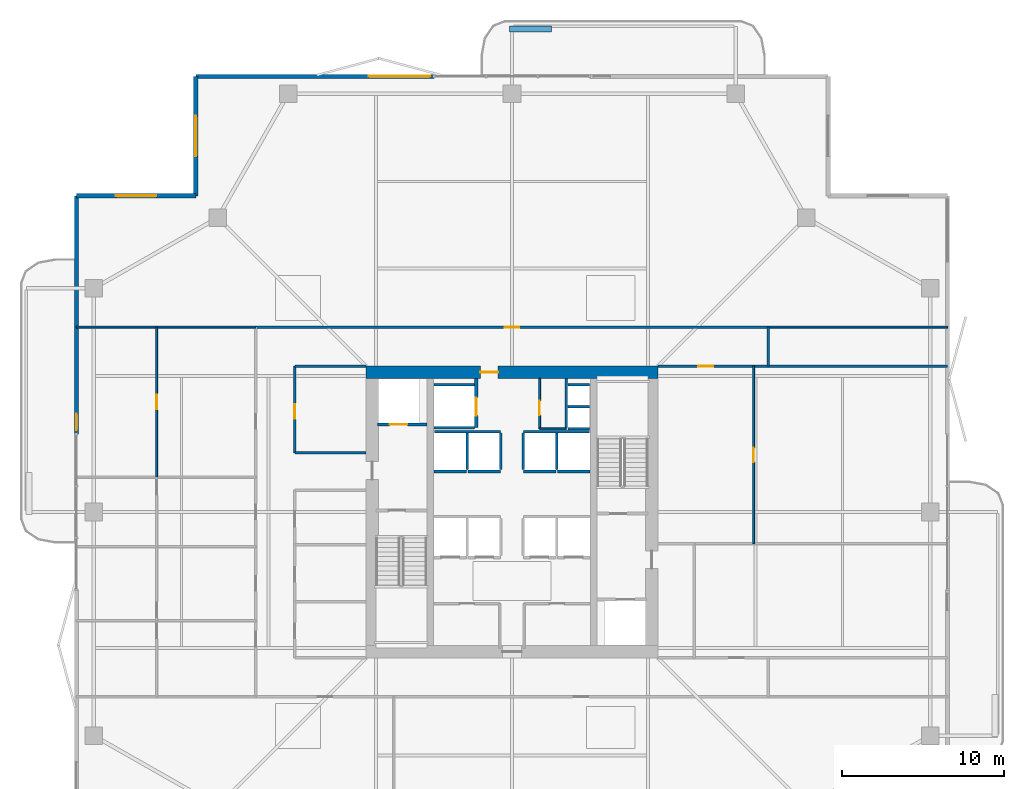
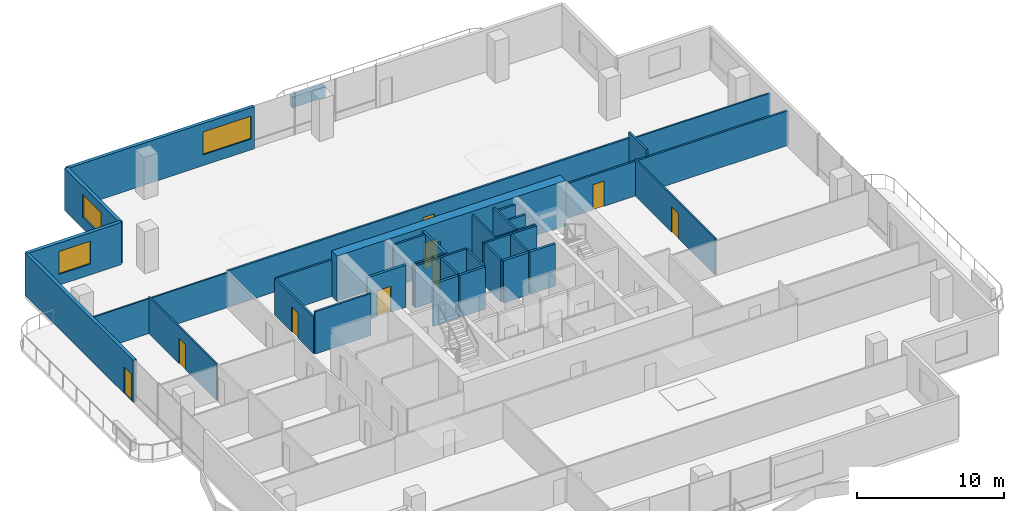
# One storey, part 19 of 23: 36 walls, 10 doors, 3 windows, 13 openings.
"""IFC4 building model written with IfcOpenShell, lengths in metres."""

import ifcopenshell
import ifcopenshell.guid

model = None  # the IFC model being written
_history = None  # IfcOwnerHistory: only IFC2X3 demands one
_inside = {}  # id of a spatial element -> (the spatial element, [elements in it])
_under = {}  # id of a project, library or spatial element -> (it, [spatial elements below it])
_declared = {}  # id of a project -> (the project, [libraries it declares])
_typed = {}  # id of a type object -> (the type object, [elements of that type])
_made_of = {}  # id of a material, layer set ... -> (it, [elements and type objects made of it])


def new_model(schema):
    """Start an empty IFC model of exactly this schema.

    Asked for "IFC4X3", IfcOpenShell would pick the latest addendum, in which some entities
    have other attributes; the version numbers below select the first issue.
    IFC2X3 requires an IfcOwnerHistory on every rooted entity: one is made here for all.
    """
    global model, _history
    if schema == "IFC4X3":
        model = ifcopenshell.file(schema_version=(4, 3, 0, 0))
    else:
        model = ifcopenshell.file(schema=schema)
    _inside.clear()
    _under.clear()
    _declared.clear()
    _typed.clear()
    _made_of.clear()
    _history = None
    if model.schema == "IFC2X3":
        org = make("IfcOrganization", Name="unknown")
        user = make(
            "IfcPersonAndOrganization",
            ThePerson=make("IfcPerson", FamilyName="unknown"),
            TheOrganization=org,
        )
        app = make(
            "IfcApplication",
            ApplicationDeveloper=org,
            Version="unknown",
            ApplicationFullName="unknown",
            ApplicationIdentifier="unknown",
        )
        _history = make(
            "IfcOwnerHistory",
            OwningUser=user,
            OwningApplication=app,
            ChangeAction="ADDED",
            CreationDate=0,
        )
    return model


def make(cls, **values):
    """One entity of the class cls with the attributes given. An attribute that is None is left unset."""
    return model.create_entity(
        cls, **{name: value for name, value in values.items() if value is not None}
    )


def rooted(cls, **values):
    """An entity with a GlobalId (a new one), such as an element, a storey or a relation."""
    return make(cls, GlobalId=ifcopenshell.guid.new(), OwnerHistory=_history, **values)


def si_unit(unit_type, name, prefix=None):
    """IfcSIUnit, for example si_unit("LENGTHUNIT", "METRE", prefix="MILLI")."""
    return make("IfcSIUnit", UnitType=unit_type, Prefix=prefix, Name=name)


def assignment(units):
    """IfcUnitAssignment: the units of a project."""
    return None if units is None else make("IfcUnitAssignment", Units=units)


def point(xyz):
    """IfcCartesianPoint."""
    return None if xyz is None else make("IfcCartesianPoint", Coordinates=xyz)


def direction(xyz):
    """IfcDirection."""
    return None if xyz is None else make("IfcDirection", DirectionRatios=xyz)


def frame(location, z_axis=None, x_axis=None):
    """IfcAxis2Placement3D, a coordinate frame: its origin and axes. An axis left out is left unset."""
    return make(
        "IfcAxis2Placement3D",
        Location=point(location),
        Axis=direction(z_axis),
        RefDirection=direction(x_axis),
    )


def frame_2d(location, x_axis=None):
    """IfcAxis2Placement2D, a coordinate frame in the plane: its origin and x axis."""
    return make(
        "IfcAxis2Placement2D", Location=point(location), RefDirection=direction(x_axis)
    )


def origin():
    """The frame at (0, 0, 0) with its axes left unset."""
    return frame((0.0, 0.0, 0.0))


def place(relative_to, where):
    """IfcLocalPlacement: puts the frame where relative to a parent placement (None: the world)."""
    return make(
        "IfcLocalPlacement", PlacementRelTo=relative_to, RelativePlacement=where
    )


def context(
    kind, dimensions, precision=None, world=None, true_north=None, identifier=None
):
    """IfcGeometricRepresentationContext, for example the 3D "Model" context."""
    return make(
        "IfcGeometricRepresentationContext",
        ContextIdentifier=identifier,
        ContextType=kind,
        CoordinateSpaceDimension=dimensions,
        Precision=precision,
        WorldCoordinateSystem=world,
        TrueNorth=true_north,
    )


def subcontext(parent, identifier, kind, view, scale=None):
    """IfcGeometricRepresentationSubContext, for example "Body" below "Model"."""
    return make(
        "IfcGeometricRepresentationSubContext",
        ContextIdentifier=identifier,
        ContextType=kind,
        ParentContext=parent,
        TargetScale=scale,
        TargetView=view,
    )


def project(units=None, contexts=None):
    """IfcProject with its units and contexts."""
    return rooted(
        "IfcProject",
        Name="project",
        RepresentationContexts=contexts,
        UnitsInContext=assignment(units),
    )


def spatial(cls, under=None, at=None, **own):
    """A site, building, storey or space (cls), placed at a placement, below another one or the project."""
    s = rooted(cls, ObjectPlacement=at, **own)
    if under is not None:
        _under.setdefault(under.id(), (under, []))[1].append(s)
    return s


def profile(cls, at=None, kind="AREA", **sizes):
    """A parametric profile (cls). Its sizes go by their IFC names, for example OverallWidth=200.0."""
    return make(cls, ProfileType=kind, Position=at, **sizes)


def rectangle(**sizes):
    """IfcRectangleProfileDef."""
    return profile("IfcRectangleProfileDef", **sizes)


def extrude(swept, where, along, depth):
    """IfcExtrudedAreaSolid: the profile swept, set in the frame where, extruded along a direction by depth."""
    return make(
        "IfcExtrudedAreaSolid",
        SweptArea=swept,
        Position=where,
        ExtrudedDirection=direction(along),
        Depth=depth,
    )


def shape(context_of_items, identifier, shape_type, items):
    """IfcShapeRepresentation: the items that make up one representation, for example the "Body"."""
    return make(
        "IfcShapeRepresentation",
        ContextOfItems=context_of_items,
        RepresentationIdentifier=identifier,
        RepresentationType=shape_type,
        Items=items,
    )


def material(Name=None, Category=None):
    """IfcMaterial."""
    return make("IfcMaterial", Name=Name, Category=Category)


def layer(
    of_material, thickness, ventilated=None, Name=None, Category=None, Priority=None
):
    """IfcMaterialLayer: one layer of a wall or slab, of a material (None: an air gap)."""
    return make(
        "IfcMaterialLayer",
        Material=of_material,
        LayerThickness=thickness,
        IsVentilated=ventilated,
        Name=Name,
        Category=Category,
        Priority=Priority,
    )


def layer_set(layers, Name=None):
    """IfcMaterialLayerSet."""
    return make("IfcMaterialLayerSet", MaterialLayers=layers, LayerSetName=Name)


def made_of(thing, what):
    """Note that an element or type object is made of a material, layer set ...; save() writes the relation."""
    if what is not None:
        _made_of.setdefault(what.id(), (what, []))[1].append(thing)
    return thing


def type_object(cls, material=None, **own):
    """A type object (cls), such as IfcWallType, which elements share."""
    return made_of(rooted(cls, **own), material)


def element(
    cls,
    number,
    at=None,
    inside=None,
    cuts=None,
    type_object=None,
    material=None,
    context=None,
    identifier="Body",
    shape_type=None,
    held_by="IfcProductDefinitionShape",
    body=None,
    shapes=None,
    **own,
):
    """One element of the class cls, such as IfcWall. Its Tag is "e" and its number.

    at: its placement. inside: the storey or other place that contains it. cuts: it is an
    opening in that element (IfcRelVoidsElement). A single representation is given by context,
    identifier, shape_type and body (its items); several are given by shapes. held_by: the class
    of the entity that holds the representations. save() writes the other relations.
    """
    e = rooted(cls, Tag="e%d" % number, ObjectPlacement=at, **own)
    if body is not None:
        shapes = [shape(context, identifier, shape_type, body)]
    if shapes is not None:
        e.Representation = make(held_by, Representations=shapes)
    if inside is not None:
        _inside.setdefault(inside.id(), (inside, []))[1].append(e)
    if cuts is not None:
        rooted(
            "IfcRelVoidsElement", RelatingBuildingElement=cuts, RelatedOpeningElement=e
        )
    if type_object is not None:
        _typed.setdefault(type_object.id(), (type_object, []))[1].append(e)
    return made_of(e, material)


def fill(opening, filler):
    """IfcRelFillsElement: the door or window that sits in an opening."""
    return rooted(
        "IfcRelFillsElement",
        RelatingOpeningElement=opening,
        RelatedBuildingElement=filler,
    )


def aggregate(whole, parts):
    """IfcRelAggregates: a whole, such as a stair, and the parts it consists of."""
    return rooted("IfcRelAggregates", RelatingObject=whole, RelatedObjects=parts)


def save(model, path):
    """Write the relations noted so far, then the file.

    IfcRelAggregates (storeys below a building ...), IfcRelContainedInSpatialStructure (elements
    in a storey), IfcRelDefinesByType, IfcRelAssociatesMaterial and IfcRelDeclares: one each for
    every whole, place, type object, material and project.
    """
    for whole, parts in _under.values():
        aggregate(whole, parts)
    for where, things in _inside.values():
        rooted(
            "IfcRelContainedInSpatialStructure",
            RelatedElements=things,
            RelatingStructure=where,
        )
    for kind, things in _typed.values():
        rooted("IfcRelDefinesByType", RelatedObjects=things, RelatingType=kind)
    for what, things in _made_of.values():
        rooted("IfcRelAssociatesMaterial", RelatedObjects=things, RelatingMaterial=what)
    for by, libraries in _declared.values():
        rooted("IfcRelDeclares", RelatingContext=by, RelatedDefinitions=libraries)
    model.write(path)


model = new_model("IFC4")

# Units and contexts
model_context = context("Model", 3, precision=1e-05, world=origin(), true_north=direction((0.0, 1.0)))
body_context = subcontext(model_context, "Body", "Model", "MODEL_VIEW")
ifc_project = project(units=[si_unit("LENGTHUNIT", "METRE"), si_unit("AREAUNIT", "SQUARE_METRE"), si_unit("VOLUMEUNIT", "CUBIC_METRE"), si_unit("PLANEANGLEUNIT", "RADIAN"), si_unit("MASSUNIT", "GRAM", prefix="KILO")], contexts=[model_context])

# Site, building, storey
site_placement = place(None, origin())
site = spatial("IfcSite", under=ifc_project, at=site_placement, CompositionType="ELEMENT")
building_placement = place(site_placement, origin())
building = spatial("IfcBuilding", under=site, at=building_placement, Name="Belovzor Exchange Tower", CompositionType="ELEMENT")
storey_placement = place(building_placement, frame((0.0, 0.0, 229.949951171875)))
storey = spatial("IfcBuildingStorey", under=building, at=storey_placement, Name="L57", CompositionType="ELEMENT", Elevation=229.949951171875)

# Wall, opening, door
ifc_material_1 = material(Name="Acoustic Plasterboard on Galvanised Studs", Category="gypsum")
ifc_layer_1 = layer(ifc_material_1, 0.1201171875)
ifc_layer_set_1 = layer_set([ifc_layer_1], Name="Acoustic Plasterboard on Galvanised Studs")
wall_type_1 = type_object("IfcWallType", Name="Acoustic Double-Stud Partition Wall 120", PredefinedType="PARTITIONING", material=ifc_layer_set_1)
wall_1_placement = place(storey_placement, frame((6.876953125, 30.955078125, 0.0), z_axis=(0.0, 0.0, 1.0), x_axis=(0.0, 1.0, 0.0)))
wall_1 = element("IfcWall", 1, at=wall_1_placement, inside=storey, type_object=wall_type_1, Name="W-P120 Partition Wall W-L57-WHDIV-3", PredefinedType="PARTITIONING", context=body_context, shape_type="SweptSolid", body=[
    extrude(rectangle(XDim=9.244873046875, YDim=0.1201171875, at=frame_2d((4.62255859375, 0.0))), origin(), (0.0, 0.0, 1.0), 3.03515625),
])
opening_1_placement = place(wall_1_placement, frame((4.173095703125, 0.0, 0.0)))
opening_1 = element("IfcOpeningElement", 2, at=opening_1_placement, cuts=wall_1, Name="Opening D-INT-090", PredefinedType="OPENING", context=body_context, shape_type="SweptSolid", body=[
    extrude(rectangle(XDim=0.89990234375, YDim=2.10009765625, at=frame_2d((0.449951171875, 1.050048828125))), frame((0.0, 0.070068359375, 0.0), z_axis=(0.0, -1.0, 0.0), x_axis=(1.0, 0.0, 0.0)), (0.0, 0.0, 1.0), 0.14013671875),
])
ifc_material_2 = material(Name="Veneered Hardwood Acoustic Leaf", Category="wood")
door_type_1 = type_object("IfcDoorType", Name="Trading Suite Acoustic Single Door 900x2100", OperationType="NOTDEFINED", PredefinedType="DOOR", material=ifc_material_2)
door_1_placement = place(opening_1_placement, origin())
door_1 = element("IfcDoor", 3, at=door_1_placement, inside=storey, type_object=door_type_1, Name="D-INT-090 Trading Suite Acoustic Single Door 900x2100", OperationType="SINGLE_SWING_LEFT", OverallHeight=2.10009765625, OverallWidth=0.89990234375, PredefinedType="DOOR", context=body_context, shape_type="SweptSolid", body=[
    extrude(rectangle(XDim=0.89990234375, YDim=2.10009765625, at=frame_2d((0.449951171875, 1.050048828125))), frame((0.0, 0.02490234375, 0.0), z_axis=(0.0, -1.0, 0.0), x_axis=(1.0, 0.0, 0.0)), (0.0, 0.0, 1.0), 0.050048828125),
])
fill(opening_1, door_1)

wall_2_placement = place(storey_placement, frame((43.699951171875, 26.85009765625, 0.0), z_axis=(0.0, 0.0, 1.0), x_axis=(0.0, 1.0, 0.0)))
wall_2 = element("IfcWall", 4, at=wall_2_placement, inside=storey, type_object=wall_type_1, Name="W-P120 Partition Wall W-L57-EDIV-2", PredefinedType="PARTITIONING", context=body_context, shape_type="SweptSolid", body=[
    extrude(rectangle(XDim=10.949951171875, YDim=0.1201171875, at=frame_2d((5.47509765625, 0.0))), origin(), (0.0, 0.0, 1.0), 3.03515625),
])
opening_2_placement = place(wall_2_placement, frame((5.02490234375, 0.0, 0.0)))
opening_2 = element("IfcOpeningElement", 5, at=opening_2_placement, cuts=wall_2, Name="Opening D-INT-090", PredefinedType="OPENING", context=body_context, shape_type="SweptSolid", body=[
    extrude(rectangle(XDim=0.89990234375, YDim=2.10009765625, at=frame_2d((0.449951171875, 1.050048828125))), frame((0.0, 0.070068359375, 0.0), z_axis=(0.0, -1.0, 0.0), x_axis=(1.0, 0.0, 0.0)), (0.0, 0.0, 1.0), 0.14013671875),
])
door_2_placement = place(opening_2_placement, origin())
door_2 = element("IfcDoor", 6, at=door_2_placement, inside=storey, type_object=door_type_1, Name="D-INT-090 Trading Suite Acoustic Single Door 900x2100", OperationType="SINGLE_SWING_RIGHT", OverallHeight=2.10009765625, OverallWidth=0.89990234375, PredefinedType="DOOR", context=body_context, shape_type="SweptSolid", body=[
    extrude(rectangle(XDim=0.89990234375, YDim=2.10009765625, at=frame_2d((0.449951171875, 1.050048828125))), frame((0.0, 0.02490234375, 0.0), z_axis=(0.0, -1.0, 0.0), x_axis=(1.0, 0.0, 0.0)), (0.0, 0.0, 1.0), 0.050048828125),
])
fill(opening_2, door_2)

# Walls
wall_3_placement = place(storey_placement, frame((1.929931640625, 40.199951171875, 0.0), z_axis=(0.0, 0.0, 1.0), x_axis=(1.0, 0.0, 0.0)))
element("IfcWall", 7, at=wall_3_placement, inside=storey, type_object=wall_type_1, Name="W-P120 Partition Wall W-L57-END-NW", PredefinedType="PARTITIONING", context=body_context, shape_type="SweptSolid", body=[
    extrude(rectangle(XDim=11.070068359375, YDim=0.1201171875, at=frame_2d((5.53515625, 0.0))), origin(), (0.0, 0.0, 1.0), 2.885009765625),
])
wall_4_placement = place(storey_placement, frame((44.60009765625, 40.199951171875, 0.0), z_axis=(0.0, 0.0, 1.0), x_axis=(1.0, 0.0, 0.0)))
element("IfcWall", 8, at=wall_4_placement, inside=storey, type_object=wall_type_1, Name="W-P120 Partition Wall W-L57-END-NE", PredefinedType="PARTITIONING", context=body_context, shape_type="SweptSolid", body=[
    extrude(rectangle(XDim=11.06982421875, YDim=0.1201171875, at=frame_2d((5.534912109375, 0.0))), origin(), (0.0, 0.0, 1.0), 2.885009765625),
])

# Wall, opening, door
ifc_material_3 = material(Name="Fire-Rated Plasterboard on Galvanised Studs", Category="gypsum")
ifc_layer_2 = layer(ifc_material_3, 0.1201171875)
ifc_layer_set_2 = layer_set([ifc_layer_2], Name="Fire-Rated Plasterboard on Galvanised Studs")
wall_type_2 = type_object("IfcWallType", Name="Fire-Rated Double-Stud Partition Wall 120", PredefinedType="PARTITIONING", material=ifc_layer_set_2)
wall_5_placement = place(storey_placement, frame((30.5, 33.925048828125, 0.0), z_axis=(0.0, 0.0, 1.0), x_axis=(0.0, 1.0, 0.0)))
wall_5 = element("IfcWall", 9, at=wall_5_placement, inside=storey, type_object=wall_type_2, Name="W-P120F Partition Wall W-CRV-L57-W", PredefinedType="PARTITIONING", context=body_context, shape_type="SweptSolid", body=[
    extrude(rectangle(XDim=3.125, YDim=0.1201171875, at=frame_2d((1.5625, 0.0))), origin(), (0.0, 0.0, 1.0), 3.5),
])
opening_3_placement = place(wall_5_placement, frame((0.85009765625, 0.0, 0.0)))
opening_3 = element("IfcOpeningElement", 10, at=opening_3_placement, cuts=wall_5, Name="Opening D-FD60-090", PredefinedType="OPENING", context=body_context, shape_type="SweptSolid", body=[
    extrude(rectangle(XDim=0.89990234375, YDim=2.10009765625, at=frame_2d((0.449951171875, 1.050048828125))), frame((0.0, 0.070068359375, 0.0), z_axis=(0.0, -1.0, 0.0), x_axis=(1.0, 0.0, 0.0)), (0.0, 0.0, 1.0), 0.14013671875),
])
ifc_material_4 = material(Name="Acoustic Timber Fire Leaf", Category="wood")
door_type_2 = type_object("IfcDoorType", Name="Core Service & Restroom Fire Door 900x2100", OperationType="NOTDEFINED", PredefinedType="DOOR", material=ifc_material_4)
door_3_placement = place(opening_3_placement, origin())
door_3 = element("IfcDoor", 11, at=door_3_placement, inside=storey, type_object=door_type_2, Name="D-FD60-090 Core Service & Restroom Fire Door 900x2100", OperationType="SINGLE_SWING_LEFT", OverallHeight=2.10009765625, OverallWidth=0.89990234375, PredefinedType="DOOR", context=body_context, shape_type="SweptSolid", body=[
    extrude(rectangle(XDim=0.89990234375, YDim=2.10009765625, at=frame_2d((0.449951171875, 1.050048828125))), frame((0.0, 0.02490234375, 0.0), z_axis=(0.0, -1.0, 0.0), x_axis=(1.0, 0.0, 0.0)), (0.0, 0.0, 1.0), 0.050048828125),
])
fill(opening_3, door_3)

# Walls
wall_6_placement = place(storey_placement, frame((30.5, 33.925048828125, 0.0), z_axis=(0.0, 0.0, 1.0), x_axis=(1.0, 0.0, 0.0)))
element("IfcWall", 12, at=wall_6_placement, inside=storey, type_object=wall_type_2, Name="W-P120F Partition Wall W-CRV-L57-S", PredefinedType="PARTITIONING", context=body_context, shape_type="SweptSolid", body=[
    extrude(rectangle(XDim=1.64990234375, YDim=0.1201171875, at=frame_2d((0.824951171875, 0.0))), origin(), (0.0, 0.0, 1.0), 3.5),
])
ifc_material_5 = material(Name="Fire-Rated Gypsum Block and Mineral Wool", Category="gypsum")
ifc_layer_3 = layer(ifc_material_5, 0.14990234375)
ifc_layer_set_3 = layer_set([ifc_layer_3], Name="Fire-Rated Gypsum Block and Mineral Wool")
wall_type_3 = type_object("IfcWallType", Name="Fire-Rated Gypsum Block Corridor Wall 150", PredefinedType="PARTITIONING", material=ifc_layer_set_3)
wall_7_placement = place(storey_placement, frame((15.39990234375, 32.449951171875, 0.0), z_axis=(0.0, 0.0, 1.0), x_axis=(1.0, 0.0, 0.0)))
element("IfcWall", 13, at=wall_7_placement, inside=storey, type_object=wall_type_3, Name="W-P150 Partition Wall W-L57-CFW-N", PredefinedType="PARTITIONING", context=body_context, shape_type="SweptSolid", body=[
    extrude(rectangle(XDim=4.400146484375, YDim=0.14990234375, at=frame_2d((2.2001953125, 0.0))), origin(), (0.0, 0.0, 1.0), 3.5),
])
wall_8_placement = place(storey_placement, frame((15.39990234375, 37.800048828125, 0.0), z_axis=(0.0, 0.0, 1.0), x_axis=(1.0, 0.0, 0.0)))
element("IfcWall", 14, at=wall_8_placement, inside=storey, type_object=wall_type_3, Name="W-P150 Partition Wall W-L57-INW-N", PredefinedType="PARTITIONING", context=body_context, shape_type="SweptSolid", body=[
    extrude(rectangle(XDim=4.400146484375, YDim=0.14990234375, at=frame_2d((2.2001953125, 0.0))), origin(), (0.0, 0.0, 1.0), 3.03515625),
])

# Wall, opening, door
wall_9_placement = place(storey_placement, frame((15.39990234375, 32.449951171875, 0.0), z_axis=(0.0, 0.0, 1.0), x_axis=(0.0, 1.0, 0.0)))
wall_9 = element("IfcWall", 15, at=wall_9_placement, inside=storey, type_object=wall_type_3, Name="W-P150 Partition Wall W-L57-WIE-N", PredefinedType="PARTITIONING", context=body_context, shape_type="SweptSolid", body=[
    extrude(rectangle(XDim=5.35009765625, YDim=0.14990234375, at=frame_2d((2.675048828125, 0.0))), origin(), (0.0, 0.0, 1.0), 3.03515625),
])
opening_4_placement = place(wall_9_placement, frame((2.10009765625, 0.0, 0.0)))
opening_4 = element("IfcOpeningElement", 16, at=opening_4_placement, cuts=wall_9, Name="Opening D-FD60-090", PredefinedType="OPENING", context=body_context, shape_type="SweptSolid", body=[
    extrude(rectangle(XDim=0.89990234375, YDim=2.10009765625, at=frame_2d((0.449951171875, 1.050048828125))), frame((0.0, 0.0849609375, 0.0), z_axis=(0.0, -1.0, 0.0), x_axis=(1.0, 0.0, 0.0)), (0.0, 0.0, 1.0), 0.169921875),
])
door_4_placement = place(opening_4_placement, origin())
door_4 = element("IfcDoor", 17, at=door_4_placement, inside=storey, type_object=door_type_2, Name="D-FD60-090 Core Service & Restroom Fire Door 900x2100", OperationType="SINGLE_SWING_LEFT", OverallHeight=2.10009765625, OverallWidth=0.89990234375, PredefinedType="DOOR", context=body_context, shape_type="SweptSolid", body=[
    extrude(rectangle(XDim=0.89990234375, YDim=2.10009765625, at=frame_2d((0.449951171875, 1.050048828125))), frame((0.0, 0.02490234375, 0.0), z_axis=(0.0, -1.0, 0.0), x_axis=(1.0, 0.0, 0.0)), (0.0, 0.0, 1.0), 0.050048828125),
])
fill(opening_4, door_4)

# Wall
wall_10_placement = place(storey_placement, frame((44.60009765625, 37.800048828125, 0.0), z_axis=(0.0, 0.0, 1.0), x_axis=(0.0, 1.0, 0.0)))
element("IfcWall", 18, at=wall_10_placement, inside=storey, type_object=wall_type_3, Name="W-P150 Partition Wall W-L57-END-EN", PredefinedType="PARTITIONING", context=body_context, shape_type="SweptSolid", body=[
    extrude(rectangle(XDim=2.39990234375, YDim=0.14990234375, at=frame_2d((1.199951171875, 0.0))), origin(), (0.0, 0.0, 1.0), 3.5),
])

# Wall, opening, door
wall_11_placement = place(storey_placement, frame((37.800048828125, 37.800048828125, 0.0), z_axis=(0.0, 0.0, 1.0), x_axis=(1.0, 0.0, 0.0)))
wall_11 = element("IfcWall", 19, at=wall_11_placement, inside=storey, type_object=wall_type_3, Name="W-P150 Partition Wall W-L57-CN-IN", PredefinedType="PARTITIONING", context=body_context, shape_type="SweptSolid", body=[
    extrude(rectangle(XDim=17.869873046875, YDim=0.14990234375, at=frame_2d((8.93505859375, 0.0))), origin(), (0.0, 0.0, 1.0), 2.885009765625),
])
opening_5_placement = place(wall_11_placement, frame((2.5, 0.0, 0.0)))
opening_5 = element("IfcOpeningElement", 20, at=opening_5_placement, cuts=wall_11, Name="Opening D-INT-090", PredefinedType="OPENING", context=body_context, shape_type="SweptSolid", body=[
    extrude(rectangle(XDim=0.89990234375, YDim=2.10009765625, at=frame_2d((0.449951171875, 1.050048828125))), frame((0.0, 0.0849609375, 0.0), z_axis=(0.0, -1.0, 0.0), x_axis=(1.0, 0.0, 0.0)), (0.0, 0.0, 1.0), 0.169921875),
])
door_5_placement = place(opening_5_placement, origin())
door_5 = element("IfcDoor", 21, at=door_5_placement, inside=storey, type_object=door_type_1, Name="D-INT-090 Trading Suite Acoustic Single Door 900x2100", OperationType="SINGLE_SWING_RIGHT", OverallHeight=2.10009765625, OverallWidth=0.89990234375, PredefinedType="DOOR", context=body_context, shape_type="SweptSolid", body=[
    extrude(rectangle(XDim=0.89990234375, YDim=2.10009765625, at=frame_2d((0.449951171875, 1.050048828125))), frame((0.0, 0.02490234375, 0.0), z_axis=(0.0, -1.0, 0.0), x_axis=(1.0, 0.0, 0.0)), (0.0, 0.0, 1.0), 0.050048828125),
])
fill(opening_5, door_5)

wall_12_placement = place(storey_placement, frame((13.0, 40.199951171875, 0.0), z_axis=(0.0, 0.0, 1.0), x_axis=(1.0, 0.0, 0.0)))
wall_12 = element("IfcWall", 22, at=wall_12_placement, inside=storey, type_object=wall_type_3, Name="W-P150 Partition Wall W-L57-CN", PredefinedType="PARTITIONING", context=body_context, shape_type="SweptSolid", body=[
    extrude(rectangle(XDim=31.60009765625, YDim=0.14990234375, at=frame_2d((15.800048828125, 0.0))), origin(), (0.0, 0.0, 1.0), 3.03515625),
])
opening_6_placement = place(wall_12_placement, frame((15.35009765625, 0.0, 0.0)))
opening_6 = element("IfcOpeningElement", 23, at=opening_6_placement, cuts=wall_12, Name="Opening D-INT-090", PredefinedType="OPENING", context=body_context, shape_type="SweptSolid", body=[
    extrude(rectangle(XDim=0.89990234375, YDim=2.10009765625, at=frame_2d((0.449951171875, 1.050048828125))), frame((0.0, 0.0849609375, 0.0), z_axis=(0.0, -1.0, 0.0), x_axis=(1.0, 0.0, 0.0)), (0.0, 0.0, 1.0), 0.169921875),
])
door_6_placement = place(opening_6_placement, origin())
door_6 = element("IfcDoor", 24, at=door_6_placement, inside=storey, type_object=door_type_1, Name="D-INT-090 Trading Suite Acoustic Single Door 900x2100", OperationType="SINGLE_SWING_LEFT", OverallHeight=2.10009765625, OverallWidth=0.89990234375, PredefinedType="DOOR", context=body_context, shape_type="SweptSolid", body=[
    extrude(rectangle(XDim=0.89990234375, YDim=2.10009765625, at=frame_2d((0.449951171875, 1.050048828125))), frame((0.0, 0.02490234375, 0.0), z_axis=(0.0, -1.0, 0.0), x_axis=(1.0, 0.0, 0.0)), (0.0, 0.0, 1.0), 0.050048828125),
])
fill(opening_6, door_6)

# Wall, opening, window
ifc_material_6 = material(Name="Precast concrete C40/50", Category="concrete")
ifc_layer_4 = layer(ifc_material_6, 0.280029296875)
ifc_layer_set_4 = layer_set([ifc_layer_4], Name="Precast concrete C40/50")
wall_type_4 = type_object("IfcWallType", Name="Precast Concrete Notched Corner Frame Wall 280", PredefinedType="SOLIDWALL", material=ifc_layer_set_4)
wall_13_placement = place(storey_placement, frame((1.929931640625, 48.300048828125, 0.0), z_axis=(0.0, 0.0, 1.0), x_axis=(1.0, 0.0, 0.0)))
wall_13 = element("IfcWall", 25, at=wall_13_placement, inside=storey, type_object=wall_type_4, Name="W-CRN280 Precast Concrete Notched Corner Frame Wall 280 L57", PredefinedType="SOLIDWALL", context=body_context, shape_type="SweptSolid", body=[
    extrude(rectangle(XDim=7.3701171875, YDim=0.280029296875, at=frame_2d((3.68505859375, 0.0))), origin(), (0.0, 0.0, 1.0), 3.5),
])
opening_7_placement = place(wall_13_placement, frame((2.43505859375, 0.0, 0.89990234375)))
opening_7 = element("IfcOpeningElement", 26, at=opening_7_placement, cuts=wall_13, Name="Opening WN-CRN250", PredefinedType="OPENING", context=body_context, shape_type="SweptSolid", body=[
    extrude(rectangle(XDim=2.5, YDim=1.89990234375, at=frame_2d((1.25, 0.949951171875))), frame((0.0, 0.14990234375, 0.0), z_axis=(0.0, -1.0, 0.0), x_axis=(1.0, 0.0, 0.0)), (0.0, 0.0, 1.0), 0.300048828125),
])
ifc_material_7 = material(Name="Thermally Broken Aluminium and Triple Glazing", Category="aluminium")
window_type_1 = type_object("IfcWindowType", Name="Streamline Moderne Corner Wrap Ribbon Window 2500x1900", PartitioningType="SINGLE_PANEL", PredefinedType="WINDOW", material=ifc_material_7)
window_1_placement = place(opening_7_placement, origin())
window_1 = element("IfcWindow", 27, at=window_1_placement, inside=storey, type_object=window_type_1, Name="WN-CRN250 Streamline Moderne Corner Wrap Ribbon Window 2500x1900", OverallHeight=1.89990234375, OverallWidth=2.5, PartitioningType="SINGLE_PANEL", PredefinedType="WINDOW", context=body_context, shape_type="SweptSolid", body=[
    extrude(rectangle(XDim=2.5, YDim=1.89990234375, at=frame_2d((1.25, 0.949951171875))), frame((0.0, 0.030029296875, 0.0), z_axis=(0.0, -1.0, 0.0), x_axis=(1.0, 0.0, 0.0)), (0.0, 0.0, 1.0), 0.06005859375),
])
fill(opening_7, window_1)

wall_14_placement = place(storey_placement, frame((9.300048828125, 48.300048828125, 0.0), z_axis=(0.0, 0.0, 1.0), x_axis=(0.0, 1.0, 0.0)))
wall_14 = element("IfcWall", 28, at=wall_14_placement, inside=storey, type_object=wall_type_4, Name="W-CRN280 Precast Concrete Notched Corner Frame Wall 280 L57", PredefinedType="SOLIDWALL", context=body_context, shape_type="SweptSolid", body=[
    extrude(rectangle(XDim=7.369873046875, YDim=0.280029296875, at=frame_2d((3.68505859375, 0.0))), origin(), (0.0, 0.0, 1.0), 3.5),
])
opening_8_placement = place(wall_14_placement, frame((2.43505859375, 0.0, 0.89990234375)))
opening_8 = element("IfcOpeningElement", 29, at=opening_8_placement, cuts=wall_14, Name="Opening WN-CRN250", PredefinedType="OPENING", context=body_context, shape_type="SweptSolid", body=[
    extrude(rectangle(XDim=2.5, YDim=1.89990234375, at=frame_2d((1.25, 0.949951171875))), frame((0.0, 0.14990234375, 0.0), z_axis=(0.0, -1.0, 0.0), x_axis=(1.0, 0.0, 0.0)), (0.0, 0.0, 1.0), 0.300048828125),
])
window_2_placement = place(opening_8_placement, origin())
window_2 = element("IfcWindow", 30, at=window_2_placement, inside=storey, type_object=window_type_1, Name="WN-CRN250 Streamline Moderne Corner Wrap Ribbon Window 2500x1900", OverallHeight=1.89990234375, OverallWidth=2.5, PartitioningType="SINGLE_PANEL", PredefinedType="WINDOW", context=body_context, shape_type="SweptSolid", body=[
    extrude(rectangle(XDim=2.5, YDim=1.89990234375, at=frame_2d((1.25, 0.949951171875))), frame((0.0, 0.030029296875, 0.0), z_axis=(0.0, -1.0, 0.0), x_axis=(1.0, 0.0, 0.0)), (0.0, 0.0, 1.0), 0.06005859375),
])
fill(opening_8, window_2)

ifc_material_8 = material(Name="Precast concrete C40/50", Category="concrete")
ifc_layer_5 = layer(ifc_material_8, 0.260009765625)
ifc_layer_set_5 = layer_set([ifc_layer_5], Name="Precast concrete C40/50")
wall_type_5 = type_object("IfcWallType", Name="Precast Concrete Perimeter Loggia Frame Wall 260", PredefinedType="SOLIDWALL", material=ifc_layer_set_5)
wall_15_placement = place(storey_placement, frame((9.300048828125, 55.669921875, 0.0), z_axis=(0.0, 0.0, 1.0), x_axis=(1.0, 0.0, 0.0)))
wall_15 = element("IfcWall", 31, at=wall_15_placement, inside=storey, type_object=wall_type_5, Name="W-EXT260 Precast Concrete Perimeter Loggia Frame Wall 260 L57", PredefinedType="SOLIDWALL", context=body_context, shape_type="SweptSolid", body=[
    extrude(rectangle(XDim=14.699951171875, YDim=0.260009765625, at=frame_2d((7.35009765625, 0.0))), origin(), (0.0, 0.0, 1.0), 3.5),
])
opening_9_placement = place(wall_15_placement, frame((10.64990234375, 0.0, 0.89990234375)))
opening_9 = element("IfcOpeningElement", 32, at=opening_9_placement, cuts=wall_15, Name="Opening WN-RIB380", PredefinedType="OPENING", context=body_context, shape_type="SweptSolid", body=[
    extrude(rectangle(XDim=3.800048828125, YDim=1.89990234375, at=frame_2d((1.89990234375, 0.949951171875))), frame((0.0, 0.139892578125, 0.0), z_axis=(0.0, -1.0, 0.0), x_axis=(1.0, 0.0, 0.0)), (0.0, 0.0, 1.0), 0.280029296875),
])
ifc_material_9 = material(Name="Thermally Broken Aluminium and Triple Glazing", Category="aluminium")
window_type_2 = type_object("IfcWindowType", Name="Streamline Moderne Horizontal Ribbon Window 3800x1900", PartitioningType="SINGLE_PANEL", PredefinedType="WINDOW", material=ifc_material_9)
window_3_placement = place(opening_9_placement, origin())
window_3 = element("IfcWindow", 33, at=window_3_placement, inside=storey, type_object=window_type_2, Name="WN-RIB380 Streamline Moderne Horizontal Ribbon Window 3800x1900", OverallHeight=1.89990234375, OverallWidth=3.800048828125, PartitioningType="SINGLE_PANEL", PredefinedType="WINDOW", context=body_context, shape_type="SweptSolid", body=[
    extrude(rectangle(XDim=3.800048828125, YDim=1.89990234375, at=frame_2d((1.89990234375, 0.949951171875))), frame((0.0, 0.030029296875, 0.0), z_axis=(0.0, -1.0, 0.0), x_axis=(1.0, 0.0, 0.0)), (0.0, 0.0, 1.0), 0.06005859375),
])
fill(opening_9, window_3)

# Wall, opening, door
wall_16_placement = place(storey_placement, frame((1.929931640625, 33.60009765625, 0.0), z_axis=(0.0, 0.0, 1.0), x_axis=(0.0, 1.0, 0.0)))
wall_16 = element("IfcWall", 34, at=wall_16_placement, inside=storey, type_object=wall_type_5, Name="W-EXT260 Precast Concrete Perimeter Loggia Frame Wall 260 L57", PredefinedType="SOLIDWALL", context=body_context, shape_type="SweptSolid", body=[
    extrude(rectangle(XDim=14.699951171875, YDim=0.260009765625, at=frame_2d((7.35009765625, 0.0))), origin(), (0.0, 0.0, 1.0), 3.5),
])
opening_10_placement = place(wall_16_placement, frame((0.25, 0.0, 0.0)))
opening_10 = element("IfcOpeningElement", 35, at=opening_10_placement, cuts=wall_16, Name="Opening D-BAL100", PredefinedType="OPENING", context=body_context, shape_type="SweptSolid", body=[
    extrude(rectangle(XDim=1.0, YDim=2.199951171875, at=frame_2d((0.5, 1.10009765625))), frame((0.0, 0.139892578125, 0.0), z_axis=(0.0, -1.0, 0.0), x_axis=(1.0, 0.0, 0.0)), (0.0, 0.0, 1.0), 0.280029296875),
])
ifc_material_10 = material(Name="Thermally Broken Anodised Aluminium and Laminated Glass", Category="aluminium")
door_type_3 = type_object("IfcDoorType", Name="Planted Loggia Terrace Glazed Door 1000x2200", OperationType="SINGLE_SWING_LEFT", PredefinedType="DOOR", material=ifc_material_10)
door_7_placement = place(opening_10_placement, origin())
door_7 = element("IfcDoor", 36, at=door_7_placement, inside=storey, type_object=door_type_3, Name="D-BAL100 Balcony Terrace Door L57 W", OperationType="SINGLE_SWING_RIGHT", OverallHeight=2.199951171875, OverallWidth=1.0, PredefinedType="DOOR", context=body_context, shape_type="SweptSolid", body=[
    extrude(rectangle(XDim=1.0, YDim=2.199951171875, at=frame_2d((0.5, 1.10009765625))), frame((0.0, 0.02490234375, 0.0), z_axis=(0.0, -1.0, 0.0), x_axis=(1.0, 0.0, 0.0)), (0.0, 0.0, 1.0), 0.050048828125),
])
fill(opening_10, door_7)

# Walls
ifc_material_11 = material(Name="Precast concrete C40/50", Category="concrete")
ifc_layer_6 = layer(ifc_material_11, 0.35009765625)
ifc_layer_set_6 = layer_set([ifc_layer_6], Name="Precast concrete C40/50")
wall_type_6 = type_object("IfcWallType", Name="Precast Concrete Structural Tree Planter Trough 350", PredefinedType="PARAPET", material=ifc_layer_set_6)
wall_17_placement = place(storey_placement, frame((28.64990234375, 58.60009765625, 0.0), z_axis=(0.0, 0.0, 1.0), x_axis=(1.0, 0.0, 0.0)))
element("IfcWall", 37, at=wall_17_placement, inside=storey, type_object=wall_type_6, Name="PT-350 Precast Concrete Structural Tree Planter Trough 350 L57", PredefinedType="PARAPET", context=body_context, shape_type="SweptSolid", body=[
    extrude(rectangle(XDim=2.60009765625, YDim=0.35009765625, at=frame_2d((1.300048828125, 0.0))), origin(), (0.0, 0.0, 1.0), 0.900146484375),
])
ifc_material_12 = material(Name="Concrete C50/60", Category="concrete")
ifc_layer_7 = layer(ifc_material_12, 0.14990234375)
ifc_layer_set_7 = layer_set([ifc_layer_7], Name="Concrete C50/60")
wall_type_7 = type_object("IfcWallType", Name="Reinforced Concrete Core Riser Shear Wall 150", PredefinedType="SHEAR", material=ifc_layer_set_7)
wall_18_placement = place(storey_placement, frame((32.14990234375, 34.0, 0.0), z_axis=(0.0, 0.0, 1.0), x_axis=(0.0, 1.0, 0.0)))
element("IfcWall", 38, at=wall_18_placement, inside=storey, type_object=wall_type_7, Name="W-C150S Core Shaft Wall W-RSR-L57-E", PredefinedType="SHEAR", context=body_context, shape_type="SweptSolid", body=[
    extrude(rectangle(XDim=3.050048828125, YDim=0.14990234375, at=frame_2d((1.52490234375, 0.0))), origin(), (0.0, 0.0, 1.0), 3.5),
])
for number, where, z_axis, x_axis, name in (
    (39, (32.25, 33.925048828125, 0.0), (0.0, 0.0, 1.0), (1.0, 0.0, 0.0), "W-C150S Core Shaft Wall W-RSR-L57-S"),
    (40, (32.25, 35.300048828125, 0.0), (0.0, 0.0, 1.0), (1.0, 0.0, 0.0), "W-C150S Core Shaft Wall W-RSR-L57-M"),
):
    element("IfcWall", number, at=place(storey_placement, frame(where, z_axis=z_axis, x_axis=x_axis)), inside=storey, type_object=wall_type_7, Name=name, PredefinedType="SHEAR", context=body_context, shape_type="SweptSolid", body=[
        extrude(rectangle(XDim=1.330078125, YDim=0.14990234375, at=frame_2d((0.6650390625, 0.0))), origin(), (0.0, 0.0, 1.0), 3.5),
    ])
for number, where, z_axis, x_axis, name in (
    (41, (24.0, 34.0, 0.0), (0.0, 0.0, 1.0), (1.0, 0.0, 0.0), "W-C150S Core Shaft Wall W-SH-L57-SL-01S"),
    (42, (24.0, 36.64990234375, 0.0), (0.0, 0.0, 1.0), (1.0, 0.0, 0.0), "W-C150S Core Shaft Wall W-SH-L57-SL-01N"),
):
    element("IfcWall", number, at=place(storey_placement, frame(where, z_axis=z_axis, x_axis=x_axis)), inside=storey, type_object=wall_type_7, Name=name, PredefinedType="SHEAR", context=body_context, shape_type="SweptSolid", body=[
        extrude(rectangle(XDim=2.47998046875, YDim=0.14990234375, at=frame_2d((1.239990234375, 0.0))), origin(), (0.0, 0.0, 1.0), 3.5),
    ])
wall_19_placement = place(storey_placement, frame((32.25, 36.64990234375, 0.0), z_axis=(0.0, 0.0, 1.0), x_axis=(1.0, 0.0, 0.0)))
element("IfcWall", 43, at=wall_19_placement, inside=storey, type_object=wall_type_7, Name="W-C150S Core Shaft Wall W-RSR-L57-N", PredefinedType="SHEAR", context=body_context, shape_type="SweptSolid", body=[
    extrude(rectangle(XDim=1.330078125, YDim=0.14990234375, at=frame_2d((0.6650390625, 0.0))), origin(), (0.0, 0.0, 1.0), 3.5),
])
for number, where, z_axis, x_axis, name in (
    (44, (24.02001953125, 33.760009765625, 0.0), (0.0, 0.0, 1.0), (1.0, 0.0, 0.0), "W-C150S Core Shaft Wall W-SHB-L57-PLH-NW"),
    (45, (29.5, 33.760009765625, 0.0), (0.0, 0.0, 1.0), (1.0, 0.0, 0.0), "W-C150S Core Shaft Wall W-SHB-L57-PLH-NE"),
):
    element("IfcWall", number, at=place(storey_placement, frame(where, z_axis=z_axis, x_axis=x_axis)), inside=storey, type_object=wall_type_7, Name=name, PredefinedType="SHEAR", context=body_context, shape_type="SweptSolid", body=[
        extrude(rectangle(XDim=4.080078125, YDim=0.14990234375, at=frame_2d((2.0400390625, 0.0))), origin(), (0.0, 0.0, 1.0), 3.5),
    ])
for number, where, z_axis, x_axis, name in (
    (46, (26.050048828125, 31.419921875, 0.0), (0.0, 0.0, 1.0), (0.0, 1.0, 0.0), "W-C150S Core Shaft Wall W-SHD-L57-PLH-1"),
    (47, (28.10009765625, 31.419921875, 0.0), (0.0, 0.0, 1.0), (0.0, 1.0, 0.0), "W-C150S Core Shaft Wall W-SHD-L57-PLH-2"),
    (48, (29.5, 31.419921875, 0.0), (0.0, 0.0, 1.0), (0.0, 1.0, 0.0), "W-C150S Core Shaft Wall W-SHD-L57-PLH-3"),
    (49, (31.550048828125, 31.419921875, 0.0), (0.0, 0.0, 1.0), (0.0, 1.0, 0.0), "W-C150S Core Shaft Wall W-SHD-L57-PLH-4"),
):
    element("IfcWall", number, at=place(storey_placement, frame(where, z_axis=z_axis, x_axis=x_axis)), inside=storey, type_object=wall_type_7, Name=name, PredefinedType="SHEAR", context=body_context, shape_type="SweptSolid", body=[
        extrude(rectangle(XDim=2.239990234375, YDim=0.14990234375, at=frame_2d((1.1201171875, 0.0))), origin(), (0.0, 0.0, 1.0), 3.5),
    ])

# Wall, opening, door
ifc_material_13 = material(Name="Concrete C50/60", Category="concrete")
ifc_layer_8 = layer(ifc_material_13, 0.199951171875)
ifc_layer_set_8 = layer_set([ifc_layer_8], Name="Concrete C50/60")
wall_type_8 = type_object("IfcWallType", Name="Reinforced Concrete Core Shaft Shear Wall 200", PredefinedType="SHEAR", material=ifc_layer_set_8)
wall_20_placement = place(storey_placement, frame((20.5, 34.199951171875, 0.0), z_axis=(0.0, 0.0, 1.0), x_axis=(1.0, 0.0, 0.0)))
wall_20 = element("IfcWall", 50, at=wall_20_placement, inside=storey, type_object=wall_type_8, Name="W-C200S Core Shaft Wall W-SH-L57-FFL-01", PredefinedType="SHEAR", context=body_context, shape_type="SweptSolid", body=[
    extrude(rectangle(XDim=3.050048828125, YDim=0.199951171875, at=frame_2d((1.52490234375, 0.0))), origin(), (0.0, 0.0, 1.0), 3.5),
])
opening_11_placement = place(wall_20_placement, frame((0.75, 0.0, 0.0)))
opening_11 = element("IfcOpeningElement", 51, at=opening_11_placement, cuts=wall_20, Name="Opening LD-110", PredefinedType="OPENING", context=body_context, shape_type="SweptSolid", body=[
    extrude(rectangle(XDim=1.10009765625, YDim=2.14990234375, at=frame_2d((0.550048828125, 1.074951171875))), frame((0.0, 0.10986328125, 0.0), z_axis=(0.0, -1.0, 0.0), x_axis=(1.0, 0.0, 0.0)), (0.0, 0.0, 1.0), 0.219970703125),
])
ifc_material_14 = material(Name="Stainless Steel Grade 304", Category="steel")
door_type_4 = type_object("IfcDoorType", Name="Automated Stainless Steel Lift Landing Door 1100x2150", OperationType="SLIDING_TO_RIGHT", PredefinedType="DOOR", material=ifc_material_14)
door_8_placement = place(opening_11_placement, origin())
door_8 = element("IfcDoor", 52, at=door_8_placement, inside=storey, type_object=door_type_4, Name="LD-110 Automated Stainless Steel Lift Landing Door 1100x2150", OperationType="SLIDING_TO_RIGHT", OverallHeight=2.14990234375, OverallWidth=1.10009765625, PredefinedType="DOOR", context=body_context, shape_type="SweptSolid", body=[
    extrude(rectangle(XDim=1.10009765625, YDim=2.14990234375, at=frame_2d((0.550048828125, 1.074951171875))), frame((0.0, 0.02490234375, 0.0), z_axis=(0.0, -1.0, 0.0), x_axis=(1.0, 0.0, 0.0)), (0.0, 0.0, 1.0), 0.050048828125),
])
fill(opening_11, door_8)

wall_21_placement = place(storey_placement, frame((26.60009765625, 34.0, 0.0), z_axis=(0.0, 0.0, 1.0), x_axis=(0.0, 1.0, 0.0)))
wall_21 = element("IfcWall", 53, at=wall_21_placement, inside=storey, type_object=wall_type_8, Name="W-C200S Core Shaft Wall W-SH-L57-SL-01", PredefinedType="SHEAR", context=body_context, shape_type="SweptSolid", body=[
    extrude(rectangle(XDim=3.050048828125, YDim=0.199951171875, at=frame_2d((1.52490234375, 0.0))), origin(), (0.0, 0.0, 1.0), 3.5),
])
opening_12_placement = place(wall_21_placement, frame((0.75, 0.0, 0.0)))
opening_12 = element("IfcOpeningElement", 54, at=opening_12_placement, cuts=wall_21, Name="Opening LD-110", PredefinedType="OPENING", context=body_context, shape_type="SweptSolid", body=[
    extrude(rectangle(XDim=1.10009765625, YDim=2.14990234375, at=frame_2d((0.550048828125, 1.074951171875))), frame((0.0, 0.10986328125, 0.0), z_axis=(0.0, -1.0, 0.0), x_axis=(1.0, 0.0, 0.0)), (0.0, 0.0, 1.0), 0.219970703125),
])
door_9_placement = place(opening_12_placement, origin())
door_9 = element("IfcDoor", 55, at=door_9_placement, inside=storey, type_object=door_type_4, Name="LD-110 Automated Stainless Steel Lift Landing Door 1100x2150", OperationType="SLIDING_TO_RIGHT", OverallHeight=2.14990234375, OverallWidth=1.10009765625, PredefinedType="DOOR", context=body_context, shape_type="SweptSolid", body=[
    extrude(rectangle(XDim=1.10009765625, YDim=2.14990234375, at=frame_2d((0.550048828125, 1.074951171875))), frame((0.0, 0.02490234375, 0.0), z_axis=(0.0, -1.0, 0.0), x_axis=(1.0, 0.0, 0.0)), (0.0, 0.0, 1.0), 0.050048828125),
])
fill(opening_12, door_9)

# Walls
for number, where, z_axis, x_axis, name in (
    (56, (24.0, 31.300048828125, 0.0), (0.0, 0.0, 1.0), (1.0, 0.0, 0.0), "W-C200S Core Shaft Wall W-SH-L57-PL-H1"),
    (57, (26.10009765625, 31.300048828125, 0.0), (0.0, 0.0, 1.0), (1.0, 0.0, 0.0), "W-C200S Core Shaft Wall W-SH-L57-PL-H2"),
    (58, (29.5, 31.300048828125, 0.0), (0.0, 0.0, 1.0), (1.0, 0.0, 0.0), "W-C200S Core Shaft Wall W-SH-L57-PL-H3"),
    (59, (31.60009765625, 31.300048828125, 0.0), (0.0, 0.0, 1.0), (1.0, 0.0, 0.0), "W-C200S Core Shaft Wall W-SH-L57-PL-H4"),
):
    element("IfcWall", number, at=place(storey_placement, frame(where, z_axis=z_axis, x_axis=x_axis)), inside=storey, type_object=wall_type_8, Name=name, PredefinedType="SHEAR", context=body_context, shape_type="SweptSolid", body=[
        extrude(rectangle(XDim=2.0, YDim=0.199951171875, at=frame_2d((1.0, 0.0))), origin(), (0.0, 0.0, 1.0), 3.5),
    ])

# Wall, opening, door
ifc_material_15 = material(Name="Concrete C50/60", Category="concrete")
ifc_layer_9 = layer(ifc_material_15, 0.75)
ifc_layer_set_9 = layer_set([ifc_layer_9], Name="Concrete C50/60")
wall_type_9 = type_object("IfcWallType", Name="Reinforced Concrete Core Shear Wall 750", PredefinedType="SHEAR", material=ifc_layer_set_9)
wall_22_placement = place(storey_placement, frame((19.800048828125, 37.425048828125, 0.0), z_axis=(0.0, 0.0, 1.0), x_axis=(1.0, 0.0, 0.0)))
wall_22 = element("IfcWall", 60, at=wall_22_placement, inside=storey, type_object=wall_type_9, Name="CW-S075 Core Shear Wall L57 N", PredefinedType="SHEAR", context=body_context, shape_type="SweptSolid", body=[
    extrude(rectangle(XDim=18.0, YDim=0.75, at=frame_2d((9.0, 0.0))), origin(), (0.0, 0.0, 1.0), 3.75),
])
opening_13_placement = place(wall_22_placement, frame((7.050048828125, 0.0, 0.0)))
opening_13 = element("IfcOpeningElement", 61, at=opening_13_placement, cuts=wall_22, Name="Opening D-FD90-110", PredefinedType="OPENING", context=body_context, shape_type="SweptSolid", body=[
    extrude(rectangle(XDim=1.10009765625, YDim=2.14990234375, at=frame_2d((0.550048828125, 1.074951171875))), frame((0.0, 0.385009765625, 0.0), z_axis=(0.0, -1.0, 0.0), x_axis=(1.0, 0.0, 0.0)), (0.0, 0.0, 1.0), 0.77001953125),
])
ifc_material_16 = material(Name="Fire-Rated Galvanised Steel Leaf", Category="steel")
door_type_5 = type_object("IfcDoorType", Name="Protected Escape Vestibule Fire Door 1100x2150", OperationType="NOTDEFINED", PredefinedType="DOOR", material=ifc_material_16)
door_10_placement = place(opening_13_placement, origin())
door_10 = element("IfcDoor", 62, at=door_10_placement, inside=storey, type_object=door_type_5, Name="D-FD90-110 Protected Escape Vestibule Fire Door 1100x2150", OperationType="SINGLE_SWING_RIGHT", OverallHeight=2.14990234375, OverallWidth=1.10009765625, PredefinedType="DOOR", context=body_context, shape_type="SweptSolid", body=[
    extrude(rectangle(XDim=1.10009765625, YDim=2.14990234375, at=frame_2d((0.550048828125, 1.074951171875))), frame((0.0, 0.02490234375, 0.0), z_axis=(0.0, -1.0, 0.0), x_axis=(1.0, 0.0, 0.0)), (0.0, 0.0, 1.0), 0.050048828125),
])
fill(opening_13, door_10)

save(model, "model.ifc")
